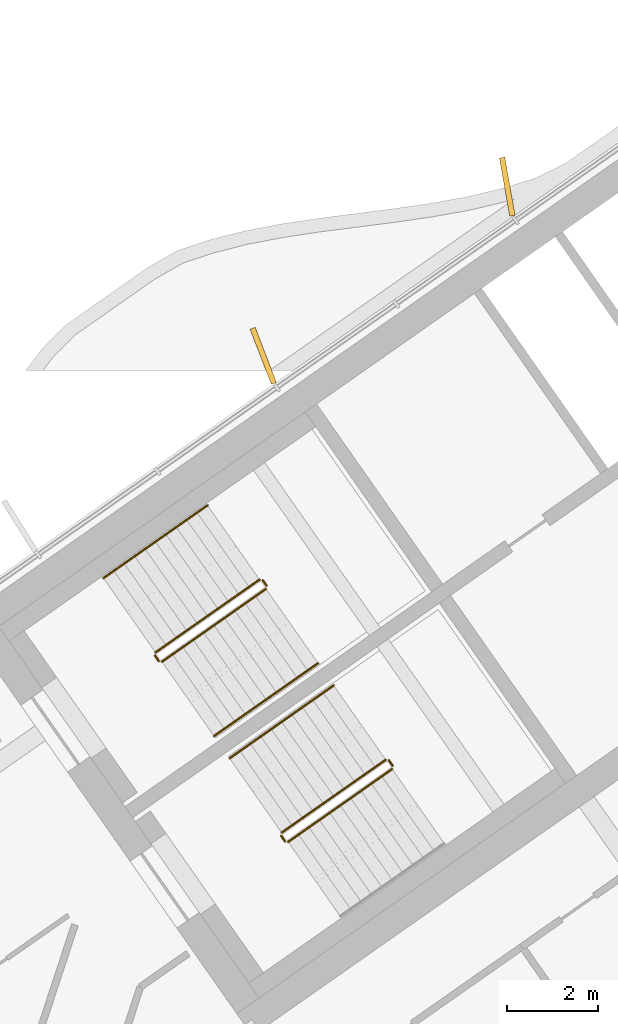
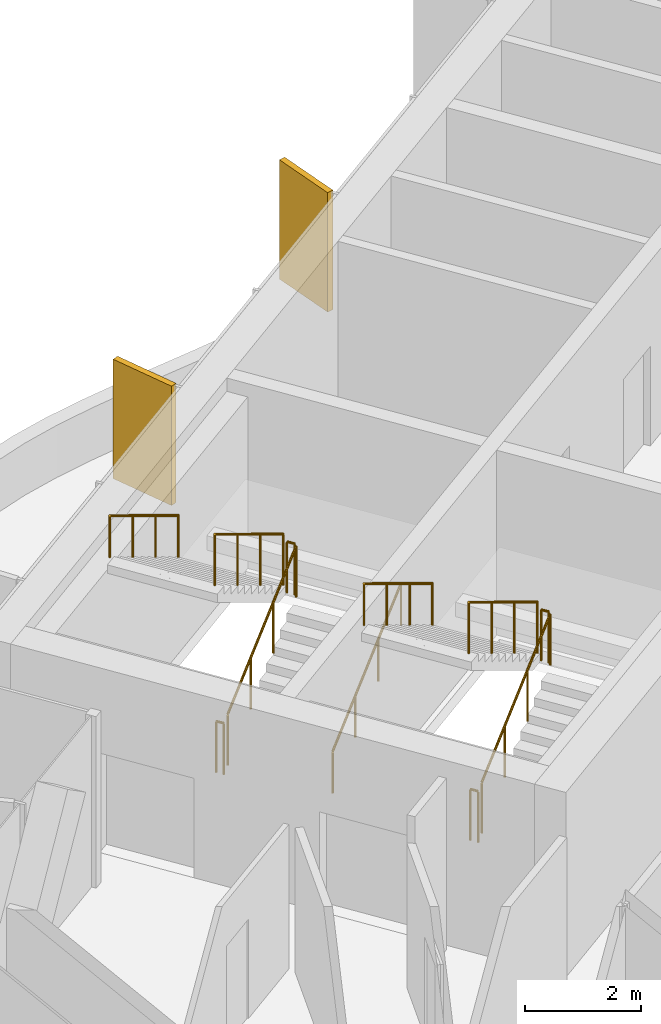
# One storey, part 14 of 17: 11 railings, 2 shading devices.
"""IFC4 building model written with IfcOpenShell, lengths in metres."""

from ifc_helpers import new_model, si_unit, direction, frame, origin, origin_2d, place, context, subcontext, project, spatial, rectangle, circle, extrude, material, layer, layer_set, type_object, element, save


model = new_model("IFC4")

# Units and contexts
model_context = context("Model", 3, precision=1e-05, world=origin(), true_north=direction((0.0, 1.0)))
body_context = subcontext(model_context, "Body", "Model", "MODEL_VIEW")
ifc_project = project(units=[si_unit("LENGTHUNIT", "METRE"), si_unit("AREAUNIT", "SQUARE_METRE"), si_unit("VOLUMEUNIT", "CUBIC_METRE"), si_unit("PLANEANGLEUNIT", "RADIAN"), si_unit("MASSUNIT", "GRAM", prefix="KILO")], contexts=[model_context])

# Site, building, storey
site_placement = place(None, origin())
site = spatial("IfcSite", under=ifc_project, at=site_placement, CompositionType="ELEMENT")
building_placement = place(site_placement, origin())
building = spatial("IfcBuilding", under=site, at=building_placement, Name="Tel Ilan Convention Tower", CompositionType="ELEMENT")
storey_placement = place(building_placement, frame((0.0, 0.0, 291.699951171875)))
storey = spatial("IfcBuildingStorey", under=building, at=storey_placement, Name="L69", CompositionType="ELEMENT", Elevation=291.699951171875)

# Shading devices
ifc_material_1 = material(Name="Aluminium, bronze anodised", Category="aluminium")
ifc_layer = layer(ifc_material_1, 0.1201171875)
ifc_layer_set = layer_set([ifc_layer], Name="FIN BRONZE 1300x120")
shading_device_type = type_object("IfcShadingDeviceType", Name="FIN BRONZE 1300x120", PredefinedType="USERDEFINED", material=ifc_layer_set)
for number, where, z_axis, x_axis, name in (
    (1, (-15.9228515625, 2.41845703125, 1.10009765625), (0.0, 0.0, 1.0), (-0.173648177667, 0.984807753012, 0.0), "FIN"),
    (2, (-21.302978515625, -1.31103515625, 1.10009765625), (0.0, 0.0, 1.0), (-0.360177724803, 0.932883704733, 0.0), "FIN"),
):
    element("IfcShadingDevice", number, at=place(storey_placement, frame(where, z_axis=z_axis, x_axis=x_axis)), inside=storey, type_object=shading_device_type, Name=name, ObjectType="FIN", PredefinedType="USERDEFINED", context=body_context, shape_type="SweptSolid", body=[
        extrude(rectangle(XDim=1.300048828125, YDim=0.1201171875, at=origin_2d()), origin(), (0.0, 0.0, 1.0), 2.52001953125),
    ])

# Railings
ifc_material_2 = material(Name="Stainless Steel Grade 316", Category="steel")
railing_type_1 = type_object("IfcRailingType", Name="Stainless Steel Stair Guard 1100 mm", PredefinedType="GUARDRAIL", material=ifc_material_2)
railing_1_placement = place(storey_placement, frame((-23.535400390625, -8.056396484375, 0.17724609375)))
element("IfcRailing", 3, at=railing_1_placement, inside=storey, type_object=railing_type_1, Name="L69 S1 stair guard 1", PredefinedType="GUARDRAIL", context=body_context, shape_type="SweptSolid", body=[
    extrude(circle(Radius=0.02392578125, at=origin_2d()), frame((0.0, 0.0, 1.076171875), z_axis=(0.692098378994, 0.484653031975, 0.534893701956), x_axis=(-0.573608623498, 0.819129505664, 0.0)), (0.0, 0.0, 1.0), 3.314208984375),
    extrude(circle(Radius=0.02099609375, at=origin_2d()), origin(), (0.0, 0.0, 1.0), 1.052001953125),
    extrude(circle(Radius=0.02099609375, at=origin_2d()), frame((0.7646484375, 0.535400390625, 0.5908203125)), (0.0, 0.0, 1.0), 1.052001953125),
    extrude(circle(Radius=0.02099609375, at=origin_2d()), frame((1.529052734375, 1.07080078125, 1.181884765625)), (0.0, 0.0, 1.0), 1.052001953125),
    extrude(circle(Radius=0.02099609375, at=origin_2d()), frame((2.293701171875, 1.606201171875, 1.772705078125)), (0.0, 0.0, 1.0), 1.052001953125),
])
railing_2_placement = place(storey_placement, frame((-21.2294921875, -6.380615234375, 1.949951171875)))
element("IfcRailing", 4, at=railing_2_placement, inside=storey, type_object=railing_type_1, Name="L69 S1 stair guard 2", PredefinedType="GUARDRAIL", context=body_context, shape_type="SweptSolid", body=[
    extrude(circle(Radius=0.02392578125, at=origin_2d()), frame((0.0, 0.0, 1.076171875), z_axis=(-0.573353020881, 0.819308436089, 0.0), x_axis=(-0.819308436089, -0.573353020881, 0.0)), (0.0, 0.0, 1.0), 0.14990234375),
    extrude(circle(Radius=0.02099609375, at=origin_2d()), origin(), (0.0, 0.0, 1.0), 1.052001953125),
    extrude(circle(Radius=0.02099609375, at=origin_2d()), frame((-0.0859375, 0.122802734375, 0.0)), (0.0, 0.0, 1.0), 1.052001953125),
])
railing_3_placement = place(storey_placement, frame((-21.38525390625, -6.24560546875, 2.12744140625)))
element("IfcRailing", 5, at=railing_3_placement, inside=storey, type_object=railing_type_1, Name="L69 S1 stair guard 3", PredefinedType="GUARDRAIL", context=body_context, shape_type="SweptSolid", body=[
    extrude(circle(Radius=0.02392578125, at=origin_2d()), frame((0.0, 0.0, 1.076171875), z_axis=(-0.692084706163, -0.484621375041, 0.534940073605), x_axis=(0.573591086599, -0.819141785879, 0.0)), (0.0, 0.0, 1.0), 3.313720703125),
    extrude(circle(Radius=0.02099609375, at=origin_2d()), origin(), (0.0, 0.0, 1.0), 1.052001953125),
    extrude(circle(Radius=0.02099609375, at=origin_2d()), frame((-0.764404296875, -0.535400390625, 0.5908203125)), (0.0, 0.0, 1.0), 1.052001953125),
    extrude(circle(Radius=0.02099609375, at=origin_2d()), frame((-1.529052734375, -1.070556640625, 1.181884765625)), (0.0, 0.0, 1.0), 1.052001953125),
    extrude(circle(Radius=0.02099609375, at=origin_2d()), frame((-2.29345703125, -1.60595703125, 1.772705078125)), (0.0, 0.0, 1.0), 1.052001953125),
])
railing_4_placement = place(storey_placement, frame((-23.60498046875, -8.0439453125, 0.0)))
element("IfcRailing", 6, at=railing_4_placement, inside=storey, type_object=railing_type_1, Name="L69 S1 stair guard 4", PredefinedType="GUARDRAIL", context=body_context, shape_type="SweptSolid", body=[
    extrude(circle(Radius=0.02392578125, at=origin_2d()), frame((0.0, 0.0, 1.076171875), z_axis=(-0.574444878118, 0.818543268254, 0.0), x_axis=(-0.818543268254, -0.574444878118, 0.0)), (0.0, 0.0, 1.0), 0.150146484375),
    extrude(circle(Radius=0.02099609375, at=origin_2d()), origin(), (0.0, 0.0, 1.0), 1.052001953125),
    extrude(circle(Radius=0.02099609375, at=origin_2d()), frame((-0.086181640625, 0.122802734375, 0.0)), (0.0, 0.0, 1.0), 1.052001953125),
])
railing_5_placement = place(storey_placement, frame((-20.753662109375, -12.029296875, 0.17724609375)))
element("IfcRailing", 7, at=railing_5_placement, inside=storey, type_object=railing_type_1, Name="L69 S2 stair guard 1", PredefinedType="GUARDRAIL", context=body_context, shape_type="SweptSolid", body=[
    extrude(circle(Radius=0.02392578125, at=origin_2d()), frame((0.0, 0.0, 1.076171875), z_axis=(0.692098378994, 0.484653031975, 0.534893701956), x_axis=(-0.573608623498, 0.819129505664, 0.0)), (0.0, 0.0, 1.0), 3.314208984375),
    extrude(circle(Radius=0.02099609375, at=origin_2d()), origin(), (0.0, 0.0, 1.0), 1.052001953125),
    extrude(circle(Radius=0.02099609375, at=origin_2d()), frame((0.7646484375, 0.535400390625, 0.5908203125)), (0.0, 0.0, 1.0), 1.052001953125),
    extrude(circle(Radius=0.02099609375, at=origin_2d()), frame((1.529052734375, 1.07080078125, 1.181884765625)), (0.0, 0.0, 1.0), 1.052001953125),
    extrude(circle(Radius=0.02099609375, at=origin_2d()), frame((2.293701171875, 1.606201171875, 1.772705078125)), (0.0, 0.0, 1.0), 1.052001953125),
])
railing_6_placement = place(storey_placement, frame((-18.44775390625, -10.353515625, 1.949951171875)))
element("IfcRailing", 8, at=railing_6_placement, inside=storey, type_object=railing_type_1, Name="L69 S2 stair guard 2", PredefinedType="GUARDRAIL", context=body_context, shape_type="SweptSolid", body=[
    extrude(circle(Radius=0.02392578125, at=origin_2d()), frame((0.0, 0.0, 1.076171875), z_axis=(-0.573353020881, 0.819308436089, 0.0), x_axis=(-0.819308436089, -0.573353020881, 0.0)), (0.0, 0.0, 1.0), 0.14990234375),
    extrude(circle(Radius=0.02099609375, at=origin_2d()), origin(), (0.0, 0.0, 1.0), 1.052001953125),
    extrude(circle(Radius=0.02099609375, at=origin_2d()), frame((-0.0859375, 0.122802734375, 0.0)), (0.0, 0.0, 1.0), 1.052001953125),
])
railing_7_placement = place(storey_placement, frame((-18.603271484375, -10.218505859375, 2.12744140625)))
element("IfcRailing", 9, at=railing_7_placement, inside=storey, type_object=railing_type_1, Name="L69 S2 stair guard 3", PredefinedType="GUARDRAIL", context=body_context, shape_type="SweptSolid", body=[
    extrude(circle(Radius=0.02392578125, at=origin_2d()), frame((0.0, 0.0, 1.076171875), z_axis=(-0.692123088272, -0.484596665743, 0.534912798717), x_axis=(0.573550118428, -0.819170471667, 0.0)), (0.0, 0.0, 1.0), 3.31396484375),
    extrude(circle(Radius=0.02099609375, at=origin_2d()), origin(), (0.0, 0.0, 1.0), 1.052001953125),
    extrude(circle(Radius=0.02099609375, at=origin_2d()), frame((-0.7646484375, -0.535400390625, 0.5908203125)), (0.0, 0.0, 1.0), 1.052001953125),
    extrude(circle(Radius=0.02099609375, at=origin_2d()), frame((-1.529052734375, -1.070556640625, 1.181884765625)), (0.0, 0.0, 1.0), 1.052001953125),
    extrude(circle(Radius=0.02099609375, at=origin_2d()), frame((-2.293701171875, -1.60595703125, 1.772705078125)), (0.0, 0.0, 1.0), 1.052001953125),
])
railing_8_placement = place(storey_placement, frame((-20.8232421875, -12.016845703125, 0.0)))
element("IfcRailing", 10, at=railing_8_placement, inside=storey, type_object=railing_type_1, Name="L69 S2 stair guard 4", PredefinedType="GUARDRAIL", context=body_context, shape_type="SweptSolid", body=[
    extrude(circle(Radius=0.02392578125, at=origin_2d()), frame((0.0, 0.0, 1.076171875), z_axis=(-0.573353020881, 0.819308436089, 0.0), x_axis=(-0.819308436089, -0.573353020881, 0.0)), (0.0, 0.0, 1.0), 0.14990234375),
    extrude(circle(Radius=0.02099609375, at=origin_2d()), origin(), (0.0, 0.0, 1.0), 1.052001953125),
    extrude(circle(Radius=0.02099609375, at=origin_2d()), frame((-0.0859375, 0.122802734375, 0.0)), (0.0, 0.0, 1.0), 1.052001953125),
])
ifc_material_3 = material(Name="Stainless Steel Grade 316", Category="steel")
railing_type_2 = type_object("IfcRailingType", Name="Stainless Steel Stair Handrail 900 mm", PredefinedType="HANDRAIL", material=ifc_material_3)
railing_9_placement = place(storey_placement, frame((-22.38818359375, -9.694580078125, 0.17724609375)))
element("IfcRailing", 11, at=railing_9_placement, inside=storey, type_object=railing_type_2, Name="L69 S1 stair handrail 1", PredefinedType="HANDRAIL", context=body_context, shape_type="SweptSolid", body=[
    extrude(circle(Radius=0.02392578125, at=origin_2d()), frame((0.0, 0.0, 0.8759765625), z_axis=(0.692084706163, 0.484621375041, 0.534940073605), x_axis=(-0.573591086599, 0.819141785879, 0.0)), (0.0, 0.0, 1.0), 3.313720703125),
    extrude(circle(Radius=0.02099609375, at=origin_2d()), origin(), (0.0, 0.0, 1.0), 0.851806640625),
    extrude(circle(Radius=0.02099609375, at=origin_2d()), frame((0.764404296875, 0.535400390625, 0.5908203125)), (0.0, 0.0, 1.0), 0.851806640625),
    extrude(circle(Radius=0.02099609375, at=origin_2d()), frame((1.529052734375, 1.070556640625, 1.181884765625)), (0.0, 0.0, 1.0), 0.851806640625),
    extrude(circle(Radius=0.02099609375, at=origin_2d()), frame((2.29345703125, 1.60595703125, 1.772705078125)), (0.0, 0.0, 1.0), 0.851806640625),
])
for number, where, name in (
    (12, (-22.5322265625, -4.607177734375, 2.12744140625), "L69 S1 stair handrail 2"),
    (13, (-19.75048828125, -8.580078125, 2.12744140625), "L69 S2 stair handrail 2"),
):
    element("IfcRailing", number, at=place(storey_placement, frame(where)), inside=storey, type_object=railing_type_2, Name=name, PredefinedType="HANDRAIL", context=body_context, shape_type="SweptSolid", body=[
        extrude(circle(Radius=0.02392578125, at=origin_2d()), frame((0.0, 0.0, 0.8759765625), z_axis=(-0.692123088272, -0.484596665743, 0.534912798717), x_axis=(0.573550118428, -0.819170471667, 0.0)), (0.0, 0.0, 1.0), 3.31396484375),
        extrude(circle(Radius=0.02099609375, at=origin_2d()), origin(), (0.0, 0.0, 1.0), 0.851806640625),
        extrude(circle(Radius=0.02099609375, at=origin_2d()), frame((-0.7646484375, -0.535400390625, 0.5908203125)), (0.0, 0.0, 1.0), 0.851806640625),
        extrude(circle(Radius=0.02099609375, at=origin_2d()), frame((-1.529052734375, -1.070556640625, 1.181884765625)), (0.0, 0.0, 1.0), 0.851806640625),
        extrude(circle(Radius=0.02099609375, at=origin_2d()), frame((-2.293701171875, -1.60595703125, 1.772705078125)), (0.0, 0.0, 1.0), 0.851806640625),
    ])

save(model, "model.ifc")
